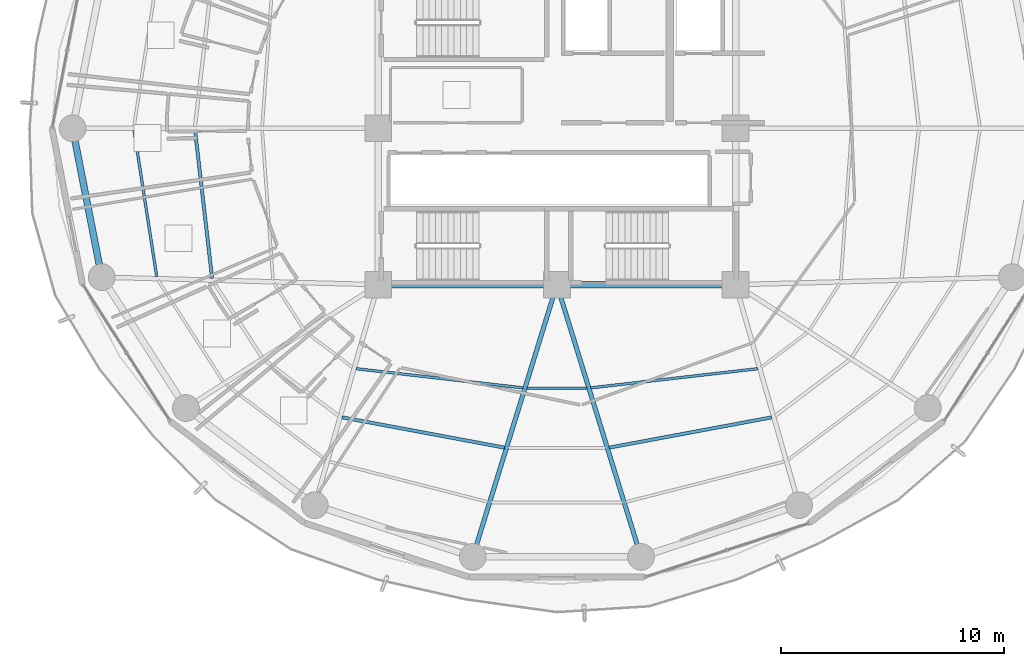
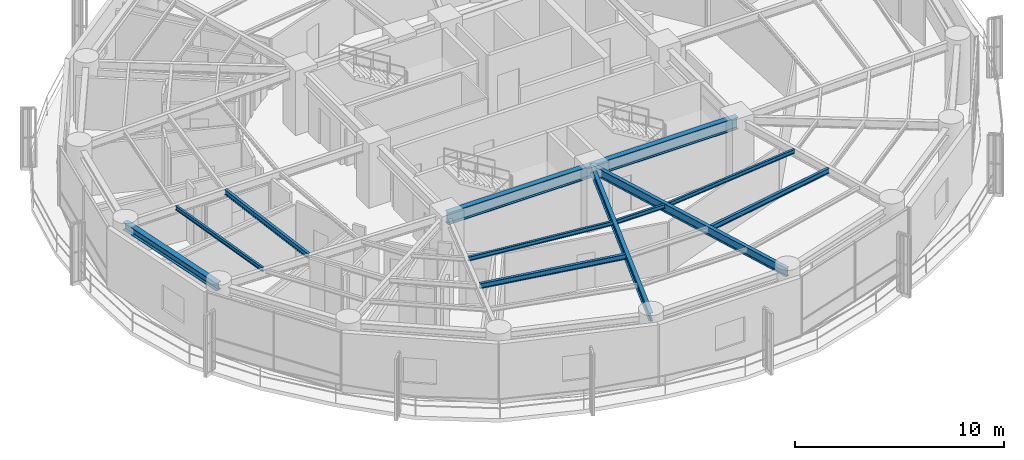
# One storey, part 5 of 27: 12 beams.
"""IFC4 building model written with IfcOpenShell, lengths in metres."""

from ifc_helpers import new_model, si_unit, direction, frame, origin, origin_2d, place, context, subcontext, project, spatial, i_section, extrude, material, material_profile, profile_set, type_object, element, save


model = new_model("IFC4")

# Units and contexts
model_context = context("Model", 3, precision=1e-05, world=origin(), true_north=direction((0.0, 1.0)))
body_context = subcontext(model_context, "Body", "Model", "MODEL_VIEW")
ifc_project = project(units=[si_unit("LENGTHUNIT", "METRE"), si_unit("AREAUNIT", "SQUARE_METRE"), si_unit("VOLUMEUNIT", "CUBIC_METRE"), si_unit("PLANEANGLEUNIT", "RADIAN"), si_unit("MASSUNIT", "GRAM", prefix="KILO")], contexts=[model_context])

# Site, building, storey
site_placement = place(None, origin())
site = spatial("IfcSite", under=ifc_project, at=site_placement, CompositionType="ELEMENT")
building_placement = place(site_placement, origin())
building = spatial("IfcBuilding", under=site, at=building_placement, Name="Kelanora Arch Commons", CompositionType="ELEMENT")
storey_placement = place(building_placement, frame((0.0, 0.0, 173.10009765625)))
storey = spatial("IfcBuildingStorey", under=building, at=storey_placement, Name="L44", CompositionType="ELEMENT", Elevation=173.10009765625)

# Beams
ifc_material = material(Name="Steel S355", Category="steel")
ifc_material_profile_1 = material_profile(ifc_material, i_section(OverallWidth=0.300048828125, OverallDepth=0.699951171875, WebThickness=0.01708984375, FlangeThickness=0.031982421875, FilletRadius=0.027099609375, at=origin_2d()), Name="HEB700")
ifc_profile_set_1 = profile_set([ifc_material_profile_1], Name="Steel S355")
beam_type_1 = type_object("IfcBeamType", Name="BM-CORE-HDR", PredefinedType="BEAM", material=ifc_profile_set_1)
for number, where, z_axis, x_axis, name in (
    (1, (66.0, 51.0, 3.139892578125), (1.0, 0.0, 0.0), (0.0, 1.0, 0.0), "Core Header Beam 01 L44"),
    (2, (74.0, 51.0, 3.139892578125), (1.0, 0.0, 0.0), (0.0, 1.0, 0.0), "Core Header Beam 02 L44"),
):
    element("IfcBeam", number, at=place(storey_placement, frame(where, z_axis=z_axis, x_axis=x_axis)), inside=storey, type_object=beam_type_1, Name=name, PredefinedType="BEAM", context=body_context, shape_type="SweptSolid", body=[
        extrude(i_section(OverallWidth=0.300048828125, OverallDepth=0.699951171875, WebThickness=0.01708984375, FlangeThickness=0.031982421875, FilletRadius=0.027099609375, at=origin_2d()), origin(), (0.0, 0.0, 1.0), 8.0),
    ])
ifc_material_profile_2 = material_profile(ifc_material, i_section(OverallWidth=0.14990234375, OverallDepth=0.300048828125, WebThickness=0.007080078125, FlangeThickness=0.0107421875, FilletRadius=0.014892578125, at=origin_2d()), Name="IPE300")
ifc_profile_set_2 = profile_set([ifc_material_profile_2], Name="Steel S355")
beam_type_2 = type_object("IfcBeamType", Name="BM-JST-01", PredefinedType="JOIST", material=ifc_profile_set_2)
beam_1_placement = place(storey_placement, frame((57.8017578125, 57.91552734375, 3.33984375), z_axis=(0.114667159005, -0.9934039675, 0.0), x_axis=(0.9934039675, 0.114667159005, 0.0)))
element("IfcBeam", 3, at=beam_1_placement, inside=storey, type_object=beam_type_2, Name="Secondary Chord Joist BJB-18 L44", PredefinedType="JOIST", context=body_context, shape_type="SweptSolid", body=[
    extrude(i_section(OverallWidth=0.14990234375, OverallDepth=0.300048828125, WebThickness=0.007080078125, FlangeThickness=0.0107421875, FilletRadius=0.014892578125, at=origin_2d()), origin(), (0.0, 0.0, 1.0), 6.672607421875),
])
for number, where, z_axis, x_axis, name in (
    (4, (64.379638671875, 45.062255859375, 3.33984375), (0.983054256126, -0.183314837134, 0.0), (0.183314837134, 0.983054256126, 0.0), "Secondary Chord Joist BJB-24 L44"),
    (5, (76.34228515625, 43.705078125, 3.33984375), (0.983054256126, 0.183314837134, 0.0), (-0.183314837134, 0.983054256126, 0.0), "Secondary Chord Joist BJB-28 L44"),
):
    element("IfcBeam", number, at=place(storey_placement, frame(where, z_axis=z_axis, x_axis=x_axis)), inside=storey, type_object=beam_type_2, Name=name, PredefinedType="JOIST", context=body_context, shape_type="SweptSolid", body=[
        extrude(i_section(OverallWidth=0.14990234375, OverallDepth=0.300048828125, WebThickness=0.007080078125, FlangeThickness=0.0107421875, FilletRadius=0.014892578125, at=origin_2d()), origin(), (0.0, 0.0, 1.0), 7.403564453125),
    ])
ifc_material_profile_3 = material_profile(ifc_material, i_section(OverallWidth=0.1201171875, OverallDepth=0.239990234375, WebThickness=0.006103515625, FlangeThickness=0.009765625, FilletRadius=0.014892578125, at=origin_2d()), Name="IPE240")
ifc_profile_set_3 = profile_set([ifc_material_profile_3], Name="Steel S355")
beam_type_3 = type_object("IfcBeamType", Name="BM-JST-02", PredefinedType="JOIST", material=ifc_profile_set_3)
beam_2_placement = place(storey_placement, frame((55.069091796875, 57.916015625, 3.369873046875), z_axis=(0.153562625853, -0.988138917329, 0.0), x_axis=(0.988138917329, 0.153562625853, 0.0)))
element("IfcBeam", 6, at=beam_2_placement, inside=storey, type_object=beam_type_3, Name="Secondary Chord Joist BJC-18 L44", PredefinedType="JOIST", context=body_context, shape_type="SweptSolid", body=[
    extrude(i_section(OverallWidth=0.1201171875, OverallDepth=0.239990234375, WebThickness=0.006103515625, FlangeThickness=0.009765625, FilletRadius=0.014892578125, at=origin_2d()), origin(), (0.0, 0.0, 1.0), 6.640869140625),
])
beam_3_placement = place(storey_placement, frame((65.005126953125, 47.239501953125, 3.369873046875), z_axis=(0.993457414184, -0.114203179475, 0.0), x_axis=(0.114203179475, 0.993457414184, 0.0)))
element("IfcBeam", 7, at=beam_3_placement, inside=storey, type_object=beam_type_3, Name="Secondary Chord Joist BJA-24 L44", PredefinedType="JOIST", context=body_context, shape_type="SweptSolid", body=[
    extrude(i_section(OverallWidth=0.1201171875, OverallDepth=0.239990234375, WebThickness=0.006103515625, FlangeThickness=0.009765625, FilletRadius=0.014892578125, at=origin_2d()), origin(), (0.0, 0.0, 1.0), 7.529296875),
])
beam_4_placement = place(storey_placement, frame((72.654296875, 46.3701171875, 3.369873046875), z_axis=(1.0, 0.0, 0.0), x_axis=(0.0, 1.0, 0.0)))
element("IfcBeam", 8, at=beam_4_placement, inside=storey, type_object=beam_type_3, Name="Secondary Chord Joist BJA-26 L44", PredefinedType="JOIST", context=body_context, shape_type="SweptSolid", body=[
    extrude(i_section(OverallWidth=0.1201171875, OverallDepth=0.239990234375, WebThickness=0.006103515625, FlangeThickness=0.009765625, FilletRadius=0.014892578125, at=origin_2d()), origin(), (0.0, 0.0, 1.0), 2.69140625),
])
beam_5_placement = place(storey_placement, frame((75.514892578125, 46.379638671875, 3.369873046875), z_axis=(0.993457414184, 0.114203179475, 0.0), x_axis=(-0.114203179475, 0.993457414184, 0.0)))
element("IfcBeam", 9, at=beam_5_placement, inside=storey, type_object=beam_type_3, Name="Secondary Chord Joist BJA-28 L44", PredefinedType="JOIST", context=body_context, shape_type="SweptSolid", body=[
    extrude(i_section(OverallWidth=0.1201171875, OverallDepth=0.239990234375, WebThickness=0.006103515625, FlangeThickness=0.009765625, FilletRadius=0.014892578125, at=origin_2d()), origin(), (0.0, 0.0, 1.0), 7.529296875),
])
ifc_material_profile_4 = material_profile(ifc_material, i_section(OverallWidth=0.199951171875, OverallDepth=0.5, WebThickness=0.01025390625, FlangeThickness=0.01611328125, FilletRadius=0.02099609375, at=origin_2d()), Name="IPE500")
ifc_profile_set_4 = profile_set([ifc_material_profile_4], Name="Steel S355")
beam_type_4 = type_object("IfcBeamType", Name="BM-RAD-Z3", PredefinedType="BEAM", material=ifc_profile_set_4)
for number, where, z_axis, x_axis, name in (
    (10, (74.0, 51.0, 3.239990234375), (-0.295210315095, -0.955432294755, 0.0), (0.955432294755, -0.295210315095, 0.0), "Radial Floor Girder BR-26 L44"),
    (11, (74.0, 51.0, 3.239990234375), (0.295210315095, -0.955432294755, 0.0), (0.955432294755, 0.295210315095, 0.0), "Radial Floor Girder BR-28 L44"),
):
    element("IfcBeam", number, at=place(storey_placement, frame(where, z_axis=z_axis, x_axis=x_axis)), inside=storey, type_object=beam_type_4, Name=name, PredefinedType="BEAM", context=body_context, shape_type="SweptSolid", body=[
        extrude(i_section(OverallWidth=0.199951171875, OverallDepth=0.5, WebThickness=0.01025390625, FlangeThickness=0.01611328125, FilletRadius=0.02099609375, at=origin_2d()), origin(), (0.0, 0.0, 1.0), 12.75244140625),
    ])
ifc_material_profile_5 = material_profile(ifc_material, i_section(OverallWidth=0.300048828125, OverallDepth=0.449951171875, WebThickness=0.013916015625, FlangeThickness=0.02587890625, FilletRadius=0.027099609375, at=origin_2d()), Name="HEB450")
ifc_profile_set_5 = profile_set([ifc_material_profile_5], Name="Steel S355")
beam_type_5 = type_object("IfcBeamType", Name="BM-SPN-Z3", PredefinedType="SPANDREL", material=ifc_profile_set_5)
beam_6_placement = place(storey_placement, frame((52.320068359375, 58.0, 3.264892578125), z_axis=(0.192553643556, -0.981286448675, 0.0), x_axis=(0.981286448675, 0.192553643556, 0.0)))
element("IfcBeam", 12, at=beam_6_placement, inside=storey, type_object=beam_type_5, Name="Perimeter Spandrel Beam BS-18 L44", PredefinedType="SPANDREL", context=body_context, shape_type="SweptSolid", body=[
    extrude(i_section(OverallWidth=0.300048828125, OverallDepth=0.449951171875, WebThickness=0.013916015625, FlangeThickness=0.02587890625, FilletRadius=0.027099609375, at=origin_2d()), origin(), (0.0, 0.0, 1.0), 6.78955078125),
])

save(model, "model.ifc")
